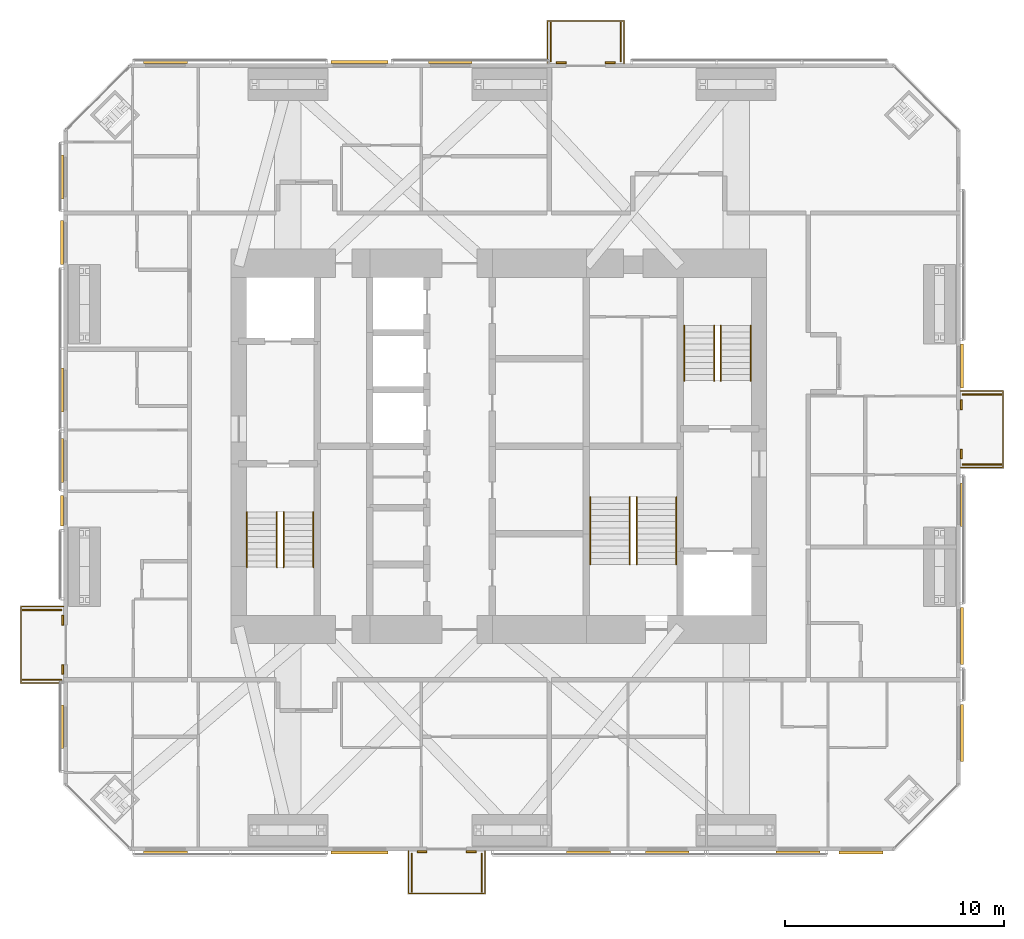
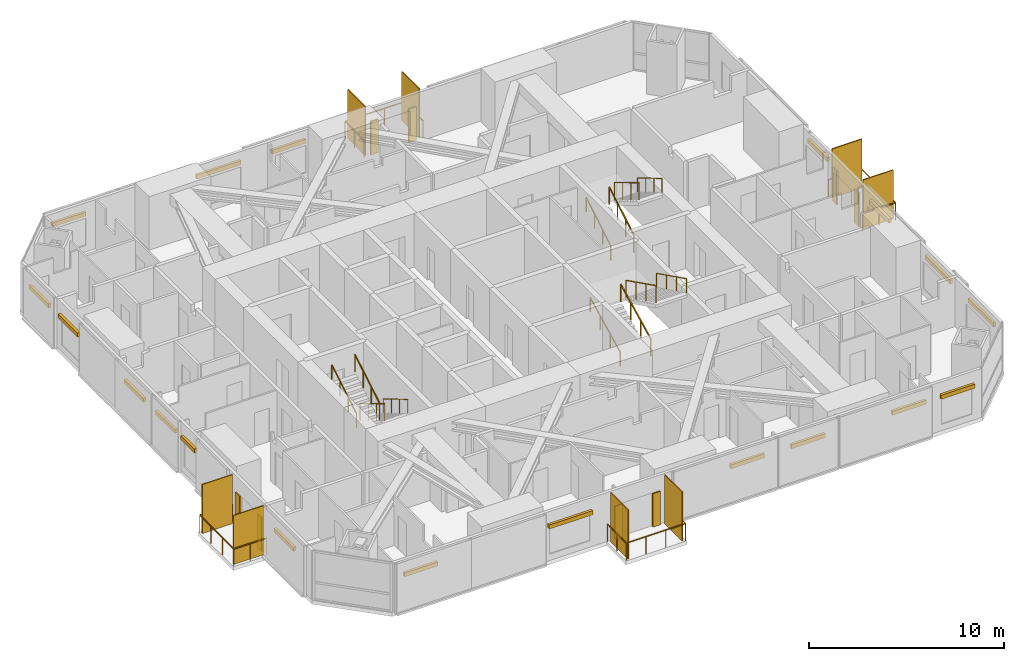
# One storey, part 22 of 22: 35 shading devices, 16 railings.
"""IFC4 building model written with IfcOpenShell, lengths in metres."""

from ifc_helpers import new_model, si_unit, direction, frame, origin, origin_2d, place, context, subcontext, project, spatial, rectangle, circle, extrude, material, layer, layer_set, constituent, constituent_set, type_object, element, save


model = new_model("IFC4")

# Units and contexts
model_context = context("Model", 3, precision=1e-05, world=origin(), true_north=direction((0.0, 1.0)))
body_context = subcontext(model_context, "Body", "Model", "MODEL_VIEW")
ifc_project = project(units=[si_unit("LENGTHUNIT", "METRE"), si_unit("AREAUNIT", "SQUARE_METRE"), si_unit("VOLUMEUNIT", "CUBIC_METRE"), si_unit("PLANEANGLEUNIT", "RADIAN"), si_unit("MASSUNIT", "GRAM", prefix="KILO")], contexts=[model_context])

# Site, building, storey
site_placement = place(None, origin())
site = spatial("IfcSite", under=ifc_project, at=site_placement, CompositionType="ELEMENT")
building_placement = place(site_placement, origin())
building = spatial("IfcBuilding", under=site, at=building_placement, Name="Jalousie Tower", CompositionType="ELEMENT")
storey_placement = place(building_placement, frame((0.0, 0.0, 204.60009765625)))
storey = spatial("IfcBuildingStorey", under=building, at=storey_placement, Name="L56", CompositionType="ELEMENT", Elevation=204.60009765625)

# Shading devices
ifc_material_1 = material(Name="Aluminium impact-rated louvred storm shutter", Category="aluminium")
shading_device_type_1 = type_object("IfcShadingDeviceType", Name="BI-FOLD STORM SHUTTER 900x2100", PredefinedType="SHUTTER", material=ifc_material_1)
for number, where, z_axis, x_axis, name in (
    (1, (28.387451171875, -0.0400390625, -0.000244140625), (0.0, 0.0, 1.0), (1.0, 0.0, 0.0), "Balcony storm shutter L56"),
    (2, (30.637451171875, -0.0400390625, -0.000244140625), (0.0, 0.0, 1.0), (1.0, 0.0, 0.0), "Balcony storm shutter L56"),
    (3, (53.0400390625, 18.14990234375, -0.000244140625), (0.0, 0.0, 1.0), (0.0, 1.0, 0.0), "Balcony storm shutter L56"),
    (4, (53.0400390625, 20.39990234375, -0.000244140625), (0.0, 0.0, 1.0), (0.0, 1.0, 0.0), "Balcony storm shutter L56"),
    (5, (37.0, 36.0400390625, -0.000244140625), (0.0, 0.0, 1.0), (-1.0, 0.0, 0.0), "Balcony storm shutter L56"),
    (6, (34.75, 36.0400390625, -0.000244140625), (0.0, 0.0, 1.0), (-1.0, 0.0, 0.0), "Balcony storm shutter L56"),
    (7, (11.9599609375, 10.550048828125, -0.000244140625), (0.0, 0.0, 1.0), (0.0, -1.0, 0.0), "Balcony storm shutter L56"),
    (8, (11.9599609375, 8.300048828125, -0.000244140625), (0.0, 0.0, 1.0), (0.0, -1.0, 0.0), "Balcony storm shutter L56"),
):
    element("IfcShadingDevice", number, at=place(storey_placement, frame(where, z_axis=z_axis, x_axis=x_axis)), inside=storey, type_object=shading_device_type_1, Name=name, PredefinedType="SHUTTER", context=body_context, shape_type="SweptSolid", body=[
        extrude(rectangle(XDim=0.449951171875, YDim=0.080078125, at=origin_2d()), origin(), (0.0, 0.0, 1.0), 2.10009765625),
    ])

# Railings
ifc_material_2 = material(Name="Powder-coated aluminium fretwork", Category="aluminium")
railing_type_1 = type_object("IfcRailingType", Name="FRETWORK BALUSTRADE 1100", PredefinedType="BALUSTRADE", material=ifc_material_2)
railing_1_placement = place(storey_placement, frame((27.762451171875, 0.0, 0.0)))
element("IfcRailing", 9, at=railing_1_placement, inside=storey, type_object=railing_type_1, Name="Balcony fretwork balustrade L56", PredefinedType="BALUSTRADE", context=body_context, shape_type="SweptSolid", body=[
    extrude(rectangle(XDim=0.048095703125, YDim=0.048095703125, at=origin_2d()), frame((0.0, 0.0, 1.076171875), z_axis=(0.0, -1.0, 0.0), x_axis=(1.0, 0.0, 0.0)), (0.0, 0.0, 1.0), 1.949951171875),
    extrude(rectangle(XDim=0.048095703125, YDim=0.048095703125, at=origin_2d()), frame((0.0, -1.949951171875, 1.076171875), z_axis=(1.0, 0.0, 0.0), x_axis=(0.0, 1.0, 0.0)), (0.0, 0.0, 1.0), 3.5),
    extrude(rectangle(XDim=0.048095703125, YDim=0.048095703125, at=origin_2d()), frame((3.5, -1.949951171875, 1.076171875), z_axis=(0.0, 1.0, 0.0), x_axis=(-1.0, 0.0, 0.0)), (0.0, 0.0, 1.0), 1.949951171875),
    extrude(circle(Radius=0.02099609375, at=origin_2d()), origin(), (0.0, 0.0, 1.0), 1.052001953125),
    extrude(circle(Radius=0.02099609375, at=origin_2d()), frame((0.0, -0.97509765625, 0.0)), (0.0, 0.0, 1.0), 1.052001953125),
    extrude(circle(Radius=0.02099609375, at=origin_2d()), frame((0.0, -1.949951171875, 0.0)), (0.0, 0.0, 1.0), 1.052001953125),
    extrude(circle(Radius=0.02099609375, at=origin_2d()), frame((1.166748046875, -1.949951171875, 0.0)), (0.0, 0.0, 1.0), 1.052001953125),
    extrude(circle(Radius=0.02099609375, at=origin_2d()), frame((2.333251953125, -1.949951171875, 0.0)), (0.0, 0.0, 1.0), 1.052001953125),
    extrude(circle(Radius=0.02099609375, at=origin_2d()), frame((3.5, -1.949951171875, 0.0)), (0.0, 0.0, 1.0), 1.052001953125),
    extrude(circle(Radius=0.02099609375, at=origin_2d()), frame((3.5, -0.97509765625, 0.0)), (0.0, 0.0, 1.0), 1.052001953125),
    extrude(circle(Radius=0.02099609375, at=origin_2d()), frame((3.5, 0.0, 0.0)), (0.0, 0.0, 1.0), 1.052001953125),
])
railing_2_placement = place(storey_placement, frame((53.0, 17.52490234375, 0.0)))
element("IfcRailing", 10, at=railing_2_placement, inside=storey, type_object=railing_type_1, Name="Balcony fretwork balustrade L56", PredefinedType="BALUSTRADE", context=body_context, shape_type="SweptSolid", body=[
    extrude(rectangle(XDim=0.048095703125, YDim=0.048095703125, at=origin_2d()), frame((0.0, 0.0, 1.076171875), z_axis=(1.0, 0.0, 0.0), x_axis=(0.0, 1.0, 0.0)), (0.0, 0.0, 1.0), 1.949951171875),
    extrude(rectangle(XDim=0.048095703125, YDim=0.048095703125, at=origin_2d()), frame((1.949951171875, 0.0, 1.076171875), z_axis=(0.0, 1.0, 0.0), x_axis=(-1.0, 0.0, 0.0)), (0.0, 0.0, 1.0), 3.5),
    extrude(rectangle(XDim=0.048095703125, YDim=0.048095703125, at=origin_2d()), frame((1.949951171875, 3.5, 1.076171875), z_axis=(-1.0, 0.0, 0.0), x_axis=(0.0, -1.0, 0.0)), (0.0, 0.0, 1.0), 1.949951171875),
    extrude(circle(Radius=0.02099609375, at=origin_2d()), origin(), (0.0, 0.0, 1.0), 1.052001953125),
    extrude(circle(Radius=0.02099609375, at=origin_2d()), frame((0.97509765625, 0.0, 0.0)), (0.0, 0.0, 1.0), 1.052001953125),
    extrude(circle(Radius=0.02099609375, at=origin_2d()), frame((1.949951171875, 0.0, 0.0)), (0.0, 0.0, 1.0), 1.052001953125),
    extrude(circle(Radius=0.02099609375, at=origin_2d()), frame((1.949951171875, 1.166748046875, 0.0)), (0.0, 0.0, 1.0), 1.052001953125),
    extrude(circle(Radius=0.02099609375, at=origin_2d()), frame((1.949951171875, 2.333251953125, 0.0)), (0.0, 0.0, 1.0), 1.052001953125),
    extrude(circle(Radius=0.02099609375, at=origin_2d()), frame((1.949951171875, 3.5, 0.0)), (0.0, 0.0, 1.0), 1.052001953125),
    extrude(circle(Radius=0.02099609375, at=origin_2d()), frame((0.97509765625, 3.5, 0.0)), (0.0, 0.0, 1.0), 1.052001953125),
    extrude(circle(Radius=0.02099609375, at=origin_2d()), frame((0.0, 3.5, 0.0)), (0.0, 0.0, 1.0), 1.052001953125),
])
railing_3_placement = place(storey_placement, frame((37.625, 36.0, 0.0)))
element("IfcRailing", 11, at=railing_3_placement, inside=storey, type_object=railing_type_1, Name="Balcony fretwork balustrade L56", PredefinedType="BALUSTRADE", context=body_context, shape_type="SweptSolid", body=[
    extrude(rectangle(XDim=0.048095703125, YDim=0.048095703125, at=origin_2d()), frame((0.0, 0.0, 1.076171875), z_axis=(0.0, 1.0, 0.0), x_axis=(-1.0, 0.0, 0.0)), (0.0, 0.0, 1.0), 1.949951171875),
    extrude(rectangle(XDim=0.048095703125, YDim=0.048095703125, at=origin_2d()), frame((0.0, 1.949951171875, 1.076171875), z_axis=(-1.0, 0.0, 0.0), x_axis=(0.0, -1.0, 0.0)), (0.0, 0.0, 1.0), 3.5),
    extrude(rectangle(XDim=0.048095703125, YDim=0.048095703125, at=origin_2d()), frame((-3.5, 1.949951171875, 1.076171875), z_axis=(0.0, -1.0, 0.0), x_axis=(1.0, 0.0, 0.0)), (0.0, 0.0, 1.0), 1.949951171875),
    extrude(circle(Radius=0.02099609375, at=origin_2d()), origin(), (0.0, 0.0, 1.0), 1.052001953125),
    extrude(circle(Radius=0.02099609375, at=origin_2d()), frame((0.0, 0.97509765625, 0.0)), (0.0, 0.0, 1.0), 1.052001953125),
    extrude(circle(Radius=0.02099609375, at=origin_2d()), frame((0.0, 1.949951171875, 0.0)), (0.0, 0.0, 1.0), 1.052001953125),
    extrude(circle(Radius=0.02099609375, at=origin_2d()), frame((-1.166748046875, 1.949951171875, 0.0)), (0.0, 0.0, 1.0), 1.052001953125),
    extrude(circle(Radius=0.02099609375, at=origin_2d()), frame((-2.333251953125, 1.949951171875, 0.0)), (0.0, 0.0, 1.0), 1.052001953125),
    extrude(circle(Radius=0.02099609375, at=origin_2d()), frame((-3.5, 1.949951171875, 0.0)), (0.0, 0.0, 1.0), 1.052001953125),
    extrude(circle(Radius=0.02099609375, at=origin_2d()), frame((-3.5, 0.97509765625, 0.0)), (0.0, 0.0, 1.0), 1.052001953125),
    extrude(circle(Radius=0.02099609375, at=origin_2d()), frame((-3.5, 0.0, 0.0)), (0.0, 0.0, 1.0), 1.052001953125),
])
railing_4_placement = place(storey_placement, frame((12.0, 11.175048828125, 0.0)))
element("IfcRailing", 12, at=railing_4_placement, inside=storey, type_object=railing_type_1, Name="Balcony fretwork balustrade L56", PredefinedType="BALUSTRADE", context=body_context, shape_type="SweptSolid", body=[
    extrude(rectangle(XDim=0.048095703125, YDim=0.048095703125, at=origin_2d()), frame((0.0, 0.0, 1.076171875), z_axis=(-1.0, 0.0, 0.0), x_axis=(0.0, -1.0, 0.0)), (0.0, 0.0, 1.0), 1.949951171875),
    extrude(rectangle(XDim=0.048095703125, YDim=0.048095703125, at=origin_2d()), frame((-1.949951171875, 0.0, 1.076171875), z_axis=(0.0, -1.0, 0.0), x_axis=(1.0, 0.0, 0.0)), (0.0, 0.0, 1.0), 3.5),
    extrude(rectangle(XDim=0.048095703125, YDim=0.048095703125, at=origin_2d()), frame((-1.949951171875, -3.5, 1.076171875), z_axis=(1.0, 0.0, 0.0), x_axis=(0.0, 1.0, 0.0)), (0.0, 0.0, 1.0), 1.949951171875),
    extrude(circle(Radius=0.02099609375, at=origin_2d()), origin(), (0.0, 0.0, 1.0), 1.052001953125),
    extrude(circle(Radius=0.02099609375, at=origin_2d()), frame((-0.97509765625, 0.0, 0.0)), (0.0, 0.0, 1.0), 1.052001953125),
    extrude(circle(Radius=0.02099609375, at=origin_2d()), frame((-1.949951171875, 0.0, 0.0)), (0.0, 0.0, 1.0), 1.052001953125),
    extrude(circle(Radius=0.02099609375, at=origin_2d()), frame((-1.949951171875, -1.166748046875, 0.0)), (0.0, 0.0, 1.0), 1.052001953125),
    extrude(circle(Radius=0.02099609375, at=origin_2d()), frame((-1.949951171875, -2.333251953125, 0.0)), (0.0, 0.0, 1.0), 1.052001953125),
    extrude(circle(Radius=0.02099609375, at=origin_2d()), frame((-1.949951171875, -3.5, 0.0)), (0.0, 0.0, 1.0), 1.052001953125),
    extrude(circle(Radius=0.02099609375, at=origin_2d()), frame((-0.97509765625, -3.5, 0.0)), (0.0, 0.0, 1.0), 1.052001953125),
    extrude(circle(Radius=0.02099609375, at=origin_2d()), frame((0.0, -3.5, 0.0)), (0.0, 0.0, 1.0), 1.052001953125),
])

# Shading devices
ifc_material_3 = material(Name="Powder-coated aluminium louvres", Category="aluminium")
ifc_layer = layer(ifc_material_3, 0.06005859375)
ifc_layer_set = layer_set([ifc_layer], Name="Powder-coated aluminium louvres")
shading_device_type_2 = type_object("IfcShadingDeviceType", Name="JALOUSIE LOUVRE SCREEN", PredefinedType="JALOUSIE", material=ifc_layer_set)
for number, where, z_axis, x_axis, name in (
    (13, (27.91259765625, -1.0, 0.0), (0.0, 0.0, 1.0), (1.0, 0.0, 0.0), "Jalousie louvre screen L56"),
    (14, (31.112548828125, -1.0, 0.0), (0.0, 0.0, 1.0), (1.0, 0.0, 0.0), "Jalousie louvre screen L56"),
    (15, (54.0, 17.675048828125, 0.0), (0.0, 0.0, 1.0), (0.0, 1.0, 0.0), "Jalousie louvre screen L56"),
    (16, (54.0, 20.875, 0.0), (0.0, 0.0, 1.0), (0.0, 1.0, 0.0), "Jalousie louvre screen L56"),
    (17, (37.47509765625, 37.0, 0.0), (0.0, 0.0, 1.0), (-1.0, 0.0, 0.0), "Jalousie louvre screen L56"),
    (18, (34.27490234375, 37.0, 0.0), (0.0, 0.0, 1.0), (-1.0, 0.0, 0.0), "Jalousie louvre screen L56"),
    (19, (11.0, 11.02490234375, 0.0), (0.0, 0.0, 1.0), (0.0, -1.0, 0.0), "Jalousie louvre screen L56"),
    (20, (11.0, 7.824951171875, 0.0), (0.0, 0.0, 1.0), (0.0, -1.0, 0.0), "Jalousie louvre screen L56"),
):
    element("IfcShadingDevice", number, at=place(storey_placement, frame(where, z_axis=z_axis, x_axis=x_axis)), inside=storey, type_object=shading_device_type_2, Name=name, PredefinedType="JALOUSIE", context=body_context, shape_type="SweptSolid", body=[
        extrude(rectangle(XDim=0.06005859375, YDim=1.800048828125, at=origin_2d()), origin(), (0.0, 0.0, 1.0), 3.070068359375),
    ])

# Railings
ifc_material_4 = material(Name="Steel ASTM A500 Grade C", Category="steel")
ifc_constituent_1 = constituent(ifc_material_4, Name="Body")
ifc_material_5 = material(Name="Hot-dip galvanised zinc coating")
ifc_constituent_2 = constituent(ifc_material_5, Name="Finish")
ifc_constituent_set_1 = constituent_set(constituents=[ifc_constituent_1, ifc_constituent_2])
railing_type_2 = type_object("IfcRailingType", Name="STAIR GUARD 1100", PredefinedType="GUARDRAIL", material=ifc_constituent_set_1)
railing_5_placement = place(storey_placement, frame((22.054931640625, 15.49755859375, 0.16748046875)))
element("IfcRailing", 21, at=railing_5_placement, inside=storey, type_object=railing_type_2, Name="Exit stair A guard L56 flight 1", PredefinedType="GUARDRAIL", context=body_context, shape_type="SweptSolid", body=[
    extrude(rectangle(XDim=0.048095703125, YDim=0.048095703125, at=origin_2d()), frame((0.0, 0.0, 1.076171875), z_axis=(0.0, -0.858196387827, 0.513321497621), x_axis=(1.0, 0.0, 0.0)), (0.0, 0.0, 1.0), 2.9365234375),
    extrude(circle(Radius=0.02099609375, at=origin_2d()), origin(), (0.0, 0.0, 1.0), 1.052001953125),
    extrude(circle(Radius=0.02099609375, at=origin_2d()), frame((0.0, -0.840087890625, 0.50244140625)), (0.0, 0.0, 1.0), 1.052001953125),
    extrude(circle(Radius=0.02099609375, at=origin_2d()), frame((0.0, -1.679931640625, 1.0048828125)), (0.0, 0.0, 1.0), 1.052001953125),
    extrude(circle(Radius=0.02099609375, at=origin_2d()), frame((0.0, -2.52001953125, 1.50732421875)), (0.0, 0.0, 1.0), 1.052001953125),
])
railing_6_placement = place(storey_placement, frame((21.7451171875, 12.9775390625, 1.84228515625)))
element("IfcRailing", 22, at=railing_6_placement, inside=storey, type_object=railing_type_2, Name="Exit stair A guard L56 flight 2", PredefinedType="GUARDRAIL", context=body_context, shape_type="SweptSolid", body=[
    extrude(rectangle(XDim=0.048095703125, YDim=0.048095703125, at=origin_2d()), frame((0.0, 0.0, 1.076171875), z_axis=(0.0, 0.858159760407, 0.513382728203), x_axis=(-1.0, 0.0, 0.0)), (0.0, 0.0, 1.0), 2.9365234375),
    extrude(circle(Radius=0.02099609375, at=origin_2d()), origin(), (0.0, 0.0, 1.0), 1.052001953125),
    extrude(circle(Radius=0.02099609375, at=origin_2d()), frame((0.0, 0.840087890625, 0.50244140625)), (0.0, 0.0, 1.0), 1.052001953125),
    extrude(circle(Radius=0.02099609375, at=origin_2d()), frame((0.0, 1.679931640625, 1.005126953125)), (0.0, 0.0, 1.0), 1.052001953125),
    extrude(circle(Radius=0.02099609375, at=origin_2d()), frame((0.0, 2.52001953125, 1.507568359375)), (0.0, 0.0, 1.0), 1.052001953125),
])
railing_7_placement = place(storey_placement, frame((41.7451171875, 21.50244140625, 0.16748046875)))
element("IfcRailing", 23, at=railing_7_placement, inside=storey, type_object=railing_type_2, Name="Exit stair B guard L56 flight 1", PredefinedType="GUARDRAIL", context=body_context, shape_type="SweptSolid", body=[
    extrude(rectangle(XDim=0.048095703125, YDim=0.048095703125, at=origin_2d()), frame((0.0, 0.0, 1.076171875), z_axis=(0.0, 0.858196387827, 0.513321497621), x_axis=(-1.0, 0.0, 0.0)), (0.0, 0.0, 1.0), 2.9365234375),
    extrude(circle(Radius=0.02099609375, at=origin_2d()), origin(), (0.0, 0.0, 1.0), 1.052001953125),
    extrude(circle(Radius=0.02099609375, at=origin_2d()), frame((0.0, 0.840087890625, 0.50244140625)), (0.0, 0.0, 1.0), 1.052001953125),
    extrude(circle(Radius=0.02099609375, at=origin_2d()), frame((0.0, 1.679931640625, 1.0048828125)), (0.0, 0.0, 1.0), 1.052001953125),
    extrude(circle(Radius=0.02099609375, at=origin_2d()), frame((0.0, 2.52001953125, 1.50732421875)), (0.0, 0.0, 1.0), 1.052001953125),
])
railing_8_placement = place(storey_placement, frame((42.054931640625, 24.0224609375, 1.84228515625)))
element("IfcRailing", 24, at=railing_8_placement, inside=storey, type_object=railing_type_2, Name="Exit stair B guard L56 flight 2", PredefinedType="GUARDRAIL", context=body_context, shape_type="SweptSolid", body=[
    extrude(rectangle(XDim=0.048095703125, YDim=0.048095703125, at=origin_2d()), frame((0.0, 0.0, 1.076171875), z_axis=(0.0, -0.858159760407, 0.513382728203), x_axis=(1.0, 0.0, 0.0)), (0.0, 0.0, 1.0), 2.9365234375),
    extrude(circle(Radius=0.02099609375, at=origin_2d()), origin(), (0.0, 0.0, 1.0), 1.052001953125),
    extrude(circle(Radius=0.02099609375, at=origin_2d()), frame((0.0, -0.840087890625, 0.50244140625)), (0.0, 0.0, 1.0), 1.052001953125),
    extrude(circle(Radius=0.02099609375, at=origin_2d()), frame((0.0, -1.679931640625, 1.005126953125)), (0.0, 0.0, 1.0), 1.052001953125),
    extrude(circle(Radius=0.02099609375, at=origin_2d()), frame((0.0, -2.52001953125, 1.507568359375)), (0.0, 0.0, 1.0), 1.052001953125),
])
railing_9_placement = place(storey_placement, frame((37.89501953125, 13.097412109375, 0.139404296875)))
element("IfcRailing", 25, at=railing_9_placement, inside=storey, type_object=railing_type_2, Name="Exit stair C guard L56 flight 1", PredefinedType="GUARDRAIL", context=body_context, shape_type="SweptSolid", body=[
    extrude(rectangle(XDim=0.048095703125, YDim=0.048095703125, at=origin_2d()), frame((0.0, 0.0, 1.076171875), z_axis=(0.0, 0.894965676997, 0.446134998624), x_axis=(-1.0, 0.0, 0.0)), (0.0, 0.0, 1.0), 3.441650390625),
    extrude(circle(Radius=0.02099609375, at=origin_2d()), origin(), (0.0, 0.0, 1.0), 1.052001953125),
    extrude(circle(Radius=0.02099609375, at=origin_2d()), frame((0.0, 1.026611328125, 0.51171875)), (0.0, 0.0, 1.0), 1.052001953125),
    extrude(circle(Radius=0.02099609375, at=origin_2d()), frame((0.0, 2.053466796875, 1.023681640625)), (0.0, 0.0, 1.0), 1.052001953125),
    extrude(circle(Radius=0.02099609375, at=origin_2d()), frame((0.0, 3.080078125, 1.535400390625)), (0.0, 0.0, 1.0), 1.052001953125),
])
railing_10_placement = place(storey_placement, frame((38.205078125, 16.177490234375, 1.814453125)))
element("IfcRailing", 26, at=railing_10_placement, inside=storey, type_object=railing_type_2, Name="Exit stair C guard L56 flight 2", PredefinedType="GUARDRAIL", context=body_context, shape_type="SweptSolid", body=[
    extrude(rectangle(XDim=0.048095703125, YDim=0.048095703125, at=origin_2d()), frame((0.0, 0.0, 1.076171875), z_axis=(0.0, -0.894965676997, 0.446134998624), x_axis=(1.0, 0.0, 0.0)), (0.0, 0.0, 1.0), 3.441650390625),
    extrude(circle(Radius=0.02099609375, at=origin_2d()), origin(), (0.0, 0.0, 1.0), 1.052001953125),
    extrude(circle(Radius=0.02099609375, at=origin_2d()), frame((0.0, -1.026611328125, 0.51171875)), (0.0, 0.0, 1.0), 1.052001953125),
    extrude(circle(Radius=0.02099609375, at=origin_2d()), frame((0.0, -2.053466796875, 1.023681640625)), (0.0, 0.0, 1.0), 1.052001953125),
    extrude(circle(Radius=0.02099609375, at=origin_2d()), frame((0.0, -3.080078125, 1.535400390625)), (0.0, 0.0, 1.0), 1.052001953125),
])
ifc_material_6 = material(Name="Steel ASTM A500 Grade C", Category="steel")
ifc_constituent_3 = constituent(ifc_material_6, Name="Body")
ifc_material_7 = material(Name="Hot-dip galvanised zinc coating")
ifc_constituent_4 = constituent(ifc_material_7, Name="Finish")
ifc_constituent_set_2 = constituent_set(constituents=[ifc_constituent_3, ifc_constituent_4])
railing_type_3 = type_object("IfcRailingType", Name="STAIR HANDRAIL 900", PredefinedType="HANDRAIL", material=ifc_constituent_set_2)
railing_11_placement = place(storey_placement, frame((23.419921875, 15.49755859375, 0.16748046875)))
element("IfcRailing", 27, at=railing_11_placement, inside=storey, type_object=railing_type_3, Name="Exit stair A handrail L56 flight 1", PredefinedType="HANDRAIL", context=body_context, shape_type="SweptSolid", body=[
    extrude(circle(Radius=0.02392578125, at=origin_2d()), frame((0.0, 0.0, 0.8759765625), z_axis=(0.0, -0.858196387827, 0.513321497621), x_axis=(1.0, 0.0, 0.0)), (0.0, 0.0, 1.0), 2.9365234375),
    extrude(circle(Radius=0.02099609375, at=origin_2d()), origin(), (0.0, 0.0, 1.0), 0.851806640625),
    extrude(circle(Radius=0.02099609375, at=origin_2d()), frame((0.0, -0.840087890625, 0.50244140625)), (0.0, 0.0, 1.0), 0.851806640625),
    extrude(circle(Radius=0.02099609375, at=origin_2d()), frame((0.0, -1.679931640625, 1.0048828125)), (0.0, 0.0, 1.0), 0.851806640625),
    extrude(circle(Radius=0.02099609375, at=origin_2d()), frame((0.0, -2.52001953125, 1.50732421875)), (0.0, 0.0, 1.0), 0.851806640625),
])
railing_12_placement = place(storey_placement, frame((20.3798828125, 12.9775390625, 1.84228515625)))
element("IfcRailing", 28, at=railing_12_placement, inside=storey, type_object=railing_type_3, Name="Exit stair A handrail L56 flight 2", PredefinedType="HANDRAIL", context=body_context, shape_type="SweptSolid", body=[
    extrude(circle(Radius=0.02392578125, at=origin_2d()), frame((0.0, 0.0, 0.8759765625), z_axis=(0.0, 0.858159760407, 0.513382728203), x_axis=(-1.0, 0.0, 0.0)), (0.0, 0.0, 1.0), 2.9365234375),
    extrude(circle(Radius=0.02099609375, at=origin_2d()), origin(), (0.0, 0.0, 1.0), 0.851806640625),
    extrude(circle(Radius=0.02099609375, at=origin_2d()), frame((0.0, 0.840087890625, 0.50244140625)), (0.0, 0.0, 1.0), 0.851806640625),
    extrude(circle(Radius=0.02099609375, at=origin_2d()), frame((0.0, 1.679931640625, 1.005126953125)), (0.0, 0.0, 1.0), 0.851806640625),
    extrude(circle(Radius=0.02099609375, at=origin_2d()), frame((0.0, 2.52001953125, 1.507568359375)), (0.0, 0.0, 1.0), 0.851806640625),
])
railing_13_placement = place(storey_placement, frame((40.3798828125, 21.50244140625, 0.16748046875)))
element("IfcRailing", 29, at=railing_13_placement, inside=storey, type_object=railing_type_3, Name="Exit stair B handrail L56 flight 1", PredefinedType="HANDRAIL", context=body_context, shape_type="SweptSolid", body=[
    extrude(circle(Radius=0.02392578125, at=origin_2d()), frame((0.0, 0.0, 0.8759765625), z_axis=(0.0, 0.858196387827, 0.513321497621), x_axis=(-1.0, 0.0, 0.0)), (0.0, 0.0, 1.0), 2.9365234375),
    extrude(circle(Radius=0.02099609375, at=origin_2d()), origin(), (0.0, 0.0, 1.0), 0.851806640625),
    extrude(circle(Radius=0.02099609375, at=origin_2d()), frame((0.0, 0.840087890625, 0.50244140625)), (0.0, 0.0, 1.0), 0.851806640625),
    extrude(circle(Radius=0.02099609375, at=origin_2d()), frame((0.0, 1.679931640625, 1.0048828125)), (0.0, 0.0, 1.0), 0.851806640625),
    extrude(circle(Radius=0.02099609375, at=origin_2d()), frame((0.0, 2.52001953125, 1.50732421875)), (0.0, 0.0, 1.0), 0.851806640625),
])
railing_14_placement = place(storey_placement, frame((43.419921875, 24.0224609375, 1.84228515625)))
element("IfcRailing", 30, at=railing_14_placement, inside=storey, type_object=railing_type_3, Name="Exit stair B handrail L56 flight 2", PredefinedType="HANDRAIL", context=body_context, shape_type="SweptSolid", body=[
    extrude(circle(Radius=0.02392578125, at=origin_2d()), frame((0.0, 0.0, 0.8759765625), z_axis=(0.0, -0.858159760407, 0.513382728203), x_axis=(1.0, 0.0, 0.0)), (0.0, 0.0, 1.0), 2.9365234375),
    extrude(circle(Radius=0.02099609375, at=origin_2d()), origin(), (0.0, 0.0, 1.0), 0.851806640625),
    extrude(circle(Radius=0.02099609375, at=origin_2d()), frame((0.0, -0.840087890625, 0.50244140625)), (0.0, 0.0, 1.0), 0.851806640625),
    extrude(circle(Radius=0.02099609375, at=origin_2d()), frame((0.0, -1.679931640625, 1.005126953125)), (0.0, 0.0, 1.0), 0.851806640625),
    extrude(circle(Radius=0.02099609375, at=origin_2d()), frame((0.0, -2.52001953125, 1.507568359375)), (0.0, 0.0, 1.0), 0.851806640625),
])
railing_15_placement = place(storey_placement, frame((36.080078125, 13.097412109375, 0.139404296875)))
element("IfcRailing", 31, at=railing_15_placement, inside=storey, type_object=railing_type_3, Name="Exit stair C handrail L56 flight 1", PredefinedType="HANDRAIL", context=body_context, shape_type="SweptSolid", body=[
    extrude(circle(Radius=0.02392578125, at=origin_2d()), frame((0.0, 0.0, 0.8759765625), z_axis=(0.0, 0.894965676997, 0.446134998624), x_axis=(-1.0, 0.0, 0.0)), (0.0, 0.0, 1.0), 3.441650390625),
    extrude(circle(Radius=0.02099609375, at=origin_2d()), origin(), (0.0, 0.0, 1.0), 0.851806640625),
    extrude(circle(Radius=0.02099609375, at=origin_2d()), frame((0.0, 1.026611328125, 0.51171875)), (0.0, 0.0, 1.0), 0.851806640625),
    extrude(circle(Radius=0.02099609375, at=origin_2d()), frame((0.0, 2.053466796875, 1.023681640625)), (0.0, 0.0, 1.0), 0.851806640625),
    extrude(circle(Radius=0.02099609375, at=origin_2d()), frame((0.0, 3.080078125, 1.535400390625)), (0.0, 0.0, 1.0), 0.851806640625),
])
railing_16_placement = place(storey_placement, frame((40.02001953125, 16.177490234375, 1.814453125)))
element("IfcRailing", 32, at=railing_16_placement, inside=storey, type_object=railing_type_3, Name="Exit stair C handrail L56 flight 2", PredefinedType="HANDRAIL", context=body_context, shape_type="SweptSolid", body=[
    extrude(circle(Radius=0.02392578125, at=origin_2d()), frame((0.0, 0.0, 0.8759765625), z_axis=(0.0, -0.894965676997, 0.446134998624), x_axis=(1.0, 0.0, 0.0)), (0.0, 0.0, 1.0), 3.441650390625),
    extrude(circle(Radius=0.02099609375, at=origin_2d()), origin(), (0.0, 0.0, 1.0), 0.851806640625),
    extrude(circle(Radius=0.02099609375, at=origin_2d()), frame((0.0, -1.026611328125, 0.51171875)), (0.0, 0.0, 1.0), 0.851806640625),
    extrude(circle(Radius=0.02099609375, at=origin_2d()), frame((0.0, -2.053466796875, 1.023681640625)), (0.0, 0.0, 1.0), 0.851806640625),
    extrude(circle(Radius=0.02099609375, at=origin_2d()), frame((0.0, -3.080078125, 1.535400390625)), (0.0, 0.0, 1.0), 0.851806640625),
])

# Shading devices
ifc_material_8 = material(Name="Aluminium roller storm shutter", Category="aluminium")
shading_device_type_3 = type_object("IfcShadingDeviceType", Name="STORM SHUTTER HOUSING", PredefinedType="SHUTTER", material=ifc_material_8)
shading_device_1_placement = place(storey_placement, frame((16.64990234375, -0.074951171875, 2.099853515625), z_axis=(0.0, 0.0, 1.0), x_axis=(1.0, 0.0, 0.0)))
element("IfcShadingDevice", 33, at=shading_device_1_placement, inside=storey, type_object=shading_device_type_3, Name="Storm shutter L56", PredefinedType="SHUTTER", context=body_context, shape_type="SweptSolid", body=[
    extrude(rectangle(XDim=2.0, YDim=0.14990234375, at=origin_2d()), origin(), (0.0, 0.0, 1.0), 0.25),
])
shading_device_2_placement = place(storey_placement, frame((25.52490234375, -0.074951171875, 2.099853515625), z_axis=(0.0, 0.0, 1.0), x_axis=(1.0, 0.0, 0.0)))
element("IfcShadingDevice", 34, at=shading_device_2_placement, inside=storey, type_object=shading_device_type_3, Name="Storm shutter L56", PredefinedType="SHUTTER", context=body_context, shape_type="SweptSolid", body=[
    extrude(rectangle(XDim=2.60009765625, YDim=0.14990234375, at=origin_2d()), origin(), (0.0, 0.0, 1.0), 0.25),
])
for number, where, z_axis, x_axis, name in (
    (35, (36.0, -0.074951171875, 2.099853515625), (0.0, 0.0, 1.0), (1.0, 0.0, 0.0), "Storm shutter L56"),
    (36, (39.60009765625, -0.074951171875, 2.099853515625), (0.0, 0.0, 1.0), (1.0, 0.0, 0.0), "Storm shutter L56"),
    (37, (45.576171875, -0.074951171875, 2.099853515625), (0.0, 0.0, 1.0), (1.0, 0.0, 0.0), "Storm shutter L56"),
    (38, (48.461181640625, -0.074951171875, 2.099853515625), (0.0, 0.0, 1.0), (1.0, 0.0, 0.0), "Storm shutter L56"),
):
    element("IfcShadingDevice", number, at=place(storey_placement, frame(where, z_axis=z_axis, x_axis=x_axis)), inside=storey, type_object=shading_device_type_3, Name=name, PredefinedType="SHUTTER", context=body_context, shape_type="SweptSolid", body=[
        extrude(rectangle(XDim=2.0, YDim=0.14990234375, at=origin_2d()), origin(), (0.0, 0.0, 1.0), 0.25),
    ])
for number, where, z_axis, x_axis, name in (
    (39, (53.074951171875, 5.38818359375, 2.099853515625), (0.0, 0.0, 1.0), (0.0, 1.0, 0.0), "Storm shutter L56"),
    (40, (53.074951171875, 9.822021484375, 2.099853515625), (0.0, 0.0, 1.0), (0.0, 1.0, 0.0), "Storm shutter L56"),
):
    element("IfcShadingDevice", number, at=place(storey_placement, frame(where, z_axis=z_axis, x_axis=x_axis)), inside=storey, type_object=shading_device_type_3, Name=name, PredefinedType="SHUTTER", context=body_context, shape_type="SweptSolid", body=[
        extrude(rectangle(XDim=2.60009765625, YDim=0.14990234375, at=origin_2d()), origin(), (0.0, 0.0, 1.0), 0.25),
    ])
for number, where, z_axis, x_axis, name in (
    (41, (53.074951171875, 15.830078125, 2.099853515625), (0.0, 0.0, 1.0), (0.0, 1.0, 0.0), "Storm shutter L56"),
    (42, (53.074951171875, 22.175048828125, 2.099853515625), (0.0, 0.0, 1.0), (0.0, 1.0, 0.0), "Storm shutter L56"),
    (43, (29.675048828125, 36.074951171875, 2.099853515625), (0.0, 0.0, 1.0), (-1.0, 0.0, 0.0), "Storm shutter L56"),
):
    element("IfcShadingDevice", number, at=place(storey_placement, frame(where, z_axis=z_axis, x_axis=x_axis)), inside=storey, type_object=shading_device_type_3, Name=name, PredefinedType="SHUTTER", context=body_context, shape_type="SweptSolid", body=[
        extrude(rectangle(XDim=2.0, YDim=0.14990234375, at=origin_2d()), origin(), (0.0, 0.0, 1.0), 0.25),
    ])
shading_device_3_placement = place(storey_placement, frame((25.52490234375, 36.074951171875, 2.099853515625), z_axis=(0.0, 0.0, 1.0), x_axis=(-1.0, 0.0, 0.0)))
element("IfcShadingDevice", 44, at=shading_device_3_placement, inside=storey, type_object=shading_device_type_3, Name="Storm shutter L56", PredefinedType="SHUTTER", context=body_context, shape_type="SweptSolid", body=[
    extrude(rectangle(XDim=2.60009765625, YDim=0.14990234375, at=origin_2d()), origin(), (0.0, 0.0, 1.0), 0.25),
])
for number, where, z_axis, x_axis, name in (
    (45, (16.64990234375, 36.074951171875, 2.099853515625), (0.0, 0.0, 1.0), (-1.0, 0.0, 0.0), "Storm shutter L56"),
    (46, (11.925048828125, 30.822509765625, 2.099853515625), (0.0, 0.0, 1.0), (0.0, -1.0, 0.0), "Storm shutter L56"),
    (47, (11.925048828125, 27.824951171875, 2.099853515625), (0.0, 0.0, 1.0), (0.0, -1.0, 0.0), "Storm shutter L56"),
    (48, (11.925048828125, 21.074951171875, 2.099853515625), (0.0, 0.0, 1.0), (0.0, -1.0, 0.0), "Storm shutter L56"),
    (49, (11.925048828125, 17.85009765625, 2.099853515625), (0.0, 0.0, 1.0), (0.0, -1.0, 0.0), "Storm shutter L56"),
):
    element("IfcShadingDevice", number, at=place(storey_placement, frame(where, z_axis=z_axis, x_axis=x_axis)), inside=storey, type_object=shading_device_type_3, Name=name, PredefinedType="SHUTTER", context=body_context, shape_type="SweptSolid", body=[
        extrude(rectangle(XDim=2.0, YDim=0.14990234375, at=origin_2d()), origin(), (0.0, 0.0, 1.0), 0.25),
    ])
shading_device_4_placement = place(storey_placement, frame((11.925048828125, 15.549560546875, 2.099853515625), z_axis=(0.0, 0.0, 1.0), x_axis=(0.0, -1.0, 0.0)))
element("IfcShadingDevice", 50, at=shading_device_4_placement, inside=storey, type_object=shading_device_type_3, Name="Storm shutter L56", PredefinedType="SHUTTER", context=body_context, shape_type="SweptSolid", body=[
    extrude(rectangle(XDim=1.39990234375, YDim=0.14990234375, at=origin_2d()), origin(), (0.0, 0.0, 1.0), 0.25),
])
shading_device_5_placement = place(storey_placement, frame((11.925048828125, 5.677490234375, 2.099853515625), z_axis=(0.0, 0.0, 1.0), x_axis=(0.0, -1.0, 0.0)))
element("IfcShadingDevice", 51, at=shading_device_5_placement, inside=storey, type_object=shading_device_type_3, Name="Storm shutter L56", PredefinedType="SHUTTER", context=body_context, shape_type="SweptSolid", body=[
    extrude(rectangle(XDim=2.0, YDim=0.14990234375, at=origin_2d()), origin(), (0.0, 0.0, 1.0), 0.25),
])

save(model, "model.ifc")
